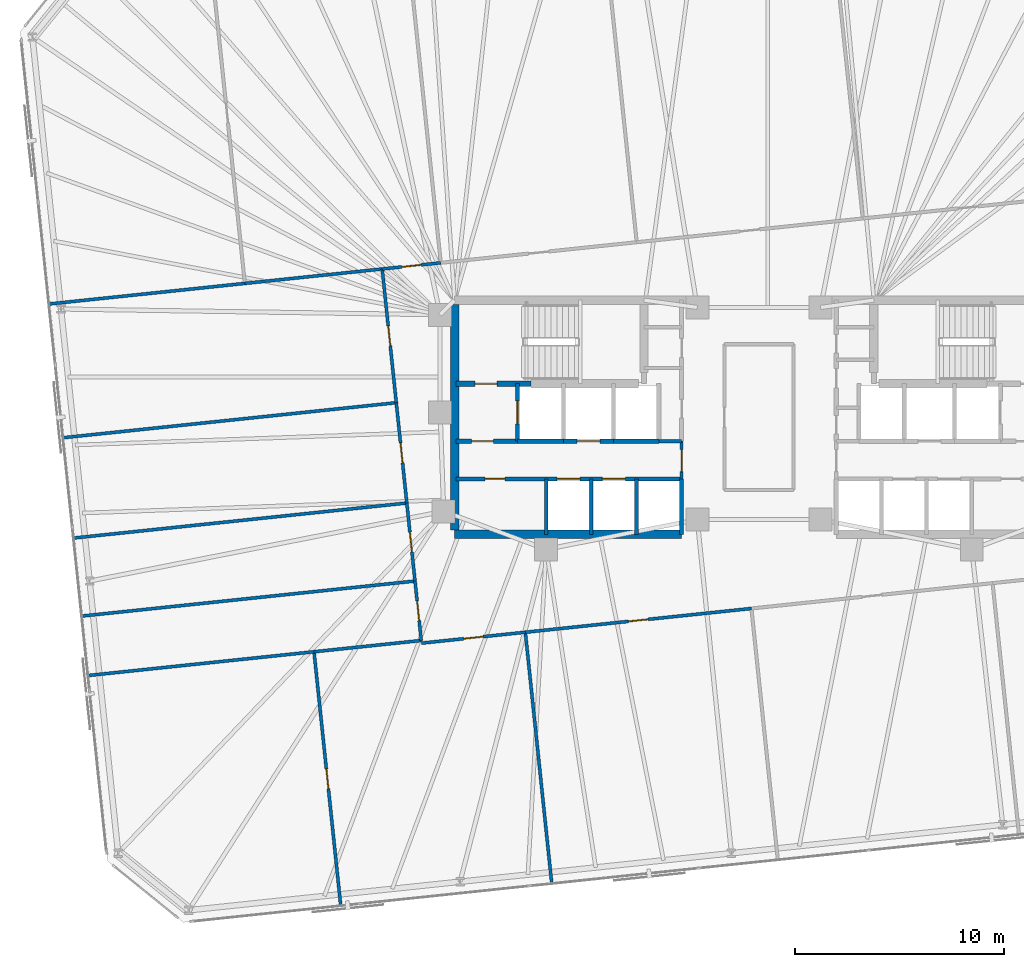
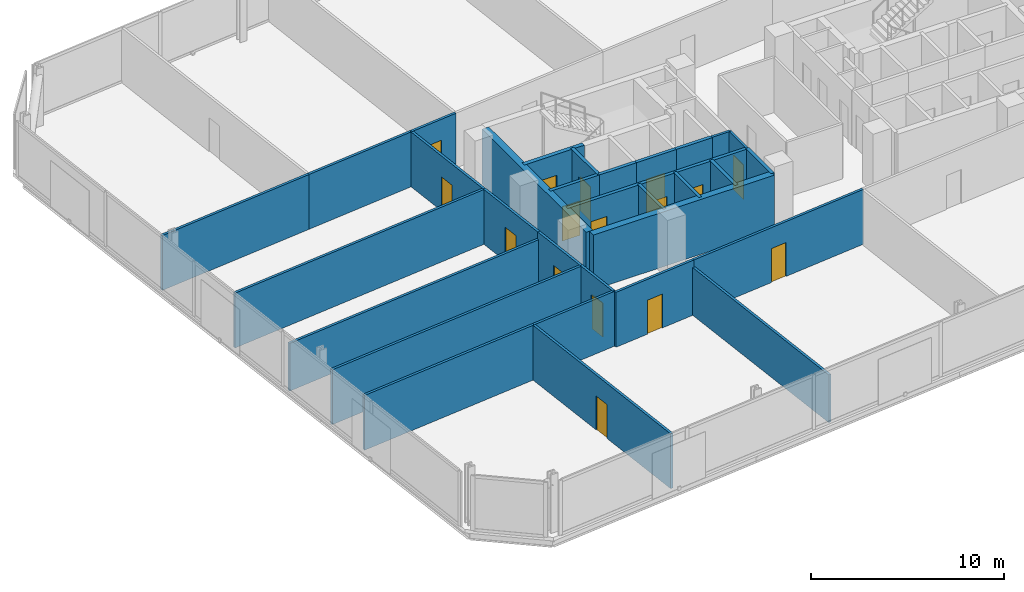
# One storey, part 14 of 18: 31 walls, 16 doors, 16 openings.
"""IFC4 building model written with IfcOpenShell, lengths in metres."""

from ifc_helpers import new_model, si_unit, direction, frame, frame_2d, origin, place, context, subcontext, project, spatial, rectangle, extrude, material, layer, layer_set, type_object, element, fill, save


model = new_model("IFC4")

# Units and contexts
model_context = context("Model", 3, precision=1e-05, world=origin(), true_north=direction((0.0, 1.0)))
body_context = subcontext(model_context, "Body", "Model", "MODEL_VIEW")
ifc_project = project(units=[si_unit("LENGTHUNIT", "METRE"), si_unit("AREAUNIT", "SQUARE_METRE"), si_unit("VOLUMEUNIT", "CUBIC_METRE"), si_unit("PLANEANGLEUNIT", "RADIAN"), si_unit("MASSUNIT", "GRAM", prefix="KILO")], contexts=[model_context])

# Site, building, storey
site_placement = place(None, origin())
site = spatial("IfcSite", under=ifc_project, at=site_placement, CompositionType="ELEMENT")
building_placement = place(site_placement, origin())
building = spatial("IfcBuilding", under=site, at=building_placement, Name="Menara Jurai Vektor", CompositionType="ELEMENT")
storey_placement = place(building_placement, frame((0.0, 0.0, 98.5)))
storey = spatial("IfcBuildingStorey", under=building, at=storey_placement, Name="L24", CompositionType="ELEMENT", Elevation=98.5)

# Wall, opening, door
ifc_material_1 = material(Name="Concrete C40/50", Category="concrete")
ifc_layer_1 = layer(ifc_material_1, 0.25)
ifc_layer_set_1 = layer_set([ifc_layer_1], Name="Concrete C40/50")
wall_type_1 = type_object("IfcWallType", Name="INT-WALL-CORE-250", PredefinedType="STANDARD", material=ifc_layer_set_1)
wall_1_placement = place(storey_placement, frame((-14.5, 1.60009765625, 0.0), z_axis=(0.0, 0.0, 1.0), x_axis=(1.0, 0.0, 0.0)))
wall_1 = element("IfcWall", 1, at=wall_1_placement, inside=storey, type_object=wall_type_1, Name="Interior Wall IW-250 L24", PredefinedType="STANDARD", context=body_context, shape_type="SweptSolid", body=[
    extrude(rectangle(XDim=3.60009765625, YDim=0.25, at=frame_2d((1.800048828125, 0.0))), origin(), (0.0, 0.0, 1.0), 3.47509765625),
])
opening_1_placement = place(wall_1_placement, frame((0.919921875, 0.0, 0.0)))
opening_1 = element("IfcOpeningElement", 2, at=opening_1_placement, cuts=wall_1, Name="Opening D-L24-ST1", PredefinedType="OPENING", context=body_context, shape_type="SweptSolid", body=[
    extrude(rectangle(XDim=1.050048828125, YDim=2.14990234375, at=frame_2d((0.52490234375, 1.074951171875))), frame((0.0, 0.135009765625, 0.0), z_axis=(0.0, -1.0, 0.0), x_axis=(1.0, 0.0, 0.0)), (0.0, 0.0, 1.0), 0.27001953125),
])
ifc_material_2 = material(Name="Fire-Rated Steel Door", Category="steel")
door_type_1 = type_object("IfcDoorType", Name="DR-STAIR-1050", OperationType="NOTDEFINED", PredefinedType="DOOR", material=ifc_material_2)
door_1_placement = place(opening_1_placement, origin())
door_1 = element("IfcDoor", 3, at=door_1_placement, inside=storey, type_object=door_type_1, Name="Exit Stair ST1 Door L24", OperationType="SINGLE_SWING_RIGHT", OverallHeight=2.14990234375, OverallWidth=1.050048828125, PredefinedType="DOOR", context=body_context, shape_type="SweptSolid", body=[
    extrude(rectangle(XDim=1.050048828125, YDim=2.14990234375, at=frame_2d((0.52490234375, 1.074951171875))), frame((0.0, 0.02490234375, 0.0), z_axis=(0.0, -1.0, 0.0), x_axis=(1.0, 0.0, 0.0)), (0.0, 0.0, 1.0), 0.050048828125),
])
fill(opening_1, door_1)

wall_2_placement = place(storey_placement, frame((-11.550048828125, -1.14990234375, 0.0), z_axis=(0.0, 0.0, 1.0), x_axis=(0.0, 1.0, 0.0)))
wall_2 = element("IfcWall", 4, at=wall_2_placement, inside=storey, type_object=wall_type_1, Name="Interior Wall IW-250 L24", PredefinedType="STANDARD", context=body_context, shape_type="SweptSolid", body=[
    extrude(rectangle(XDim=2.75, YDim=0.199951171875, at=frame_2d((1.375, 0.0))), origin(), (0.0, 0.0, 1.0), 3.47509765625),
])
opening_2_placement = place(wall_2_placement, frame((0.824951171875, 0.0, 0.0)))
opening_2 = element("IfcOpeningElement", 5, at=opening_2_placement, cuts=wall_2, Name="Opening LD-L24-FL1", PredefinedType="OPENING", context=body_context, shape_type="SweptSolid", body=[
    extrude(rectangle(XDim=1.10009765625, YDim=2.14990234375, at=frame_2d((0.550048828125, 1.074951171875))), frame((0.0, 0.10986328125, 0.0), z_axis=(0.0, -1.0, 0.0), x_axis=(1.0, 0.0, 0.0)), (0.0, 0.0, 1.0), 0.219970703125),
])
ifc_material_3 = material(Name="Stainless Steel Sliding Lift Landing Door", Category="steel")
door_type_2 = type_object("IfcDoorType", Name="DR-LIFT-FIRE-1100", OperationType="NOTDEFINED", PredefinedType="DOOR", material=ifc_material_3)
door_2_placement = place(opening_2_placement, origin())
door_2 = element("IfcDoor", 6, at=door_2_placement, inside=storey, type_object=door_type_2, Name="Lift Landing Door FL1 L24", OperationType="SLIDING_TO_RIGHT", OverallHeight=2.14990234375, OverallWidth=1.10009765625, PredefinedType="DOOR", context=body_context, shape_type="SweptSolid", body=[
    extrude(rectangle(XDim=1.10009765625, YDim=2.14990234375, at=frame_2d((0.550048828125, 1.074951171875))), frame((0.0, 0.02490234375, 0.0), z_axis=(0.0, -1.0, 0.0), x_axis=(1.0, 0.0, 0.0)), (0.0, 0.0, 1.0), 0.050048828125),
])
fill(opening_2, door_2)

wall_3_placement = place(storey_placement, frame((-14.5, -1.14990234375, 0.0), z_axis=(0.0, 0.0, 1.0), x_axis=(1.0, 0.0, 0.0)))
wall_3 = element("IfcWall", 7, at=wall_3_placement, inside=storey, type_object=wall_type_1, Name="Interior Wall IW-250 L24", PredefinedType="STANDARD", context=body_context, shape_type="SweptSolid", body=[
    extrude(rectangle(XDim=2.949951171875, YDim=0.199951171875, at=frame_2d((1.47509765625, 0.0))), origin(), (0.0, 0.0, 1.0), 3.47509765625),
])
opening_3_placement = place(wall_3_placement, frame((0.75, 0.0, 0.0)))
opening_3 = element("IfcOpeningElement", 8, at=opening_3_placement, cuts=wall_3, Name="Opening D-L24-FFW", PredefinedType="OPENING", context=body_context, shape_type="SweptSolid", body=[
    extrude(rectangle(XDim=1.050048828125, YDim=2.179931640625, at=frame_2d((0.52490234375, 1.08984375))), frame((0.0, 0.10986328125, 0.0), z_axis=(0.0, -1.0, 0.0), x_axis=(1.0, 0.0, 0.0)), (0.0, 0.0, 1.0), 0.219970703125),
])
ifc_material_4 = material(Name="Fire-Rated Timber Door", Category="wood")
door_type_3 = type_object("IfcDoorType", Name="DR-LOBBY-1050", OperationType="NOTDEFINED", PredefinedType="DOOR", material=ifc_material_4)
door_3_placement = place(opening_3_placement, origin())
door_3 = element("IfcDoor", 9, at=door_3_placement, inside=storey, type_object=door_type_3, Name="Fire Lift Lobby Door W L24", OperationType="SINGLE_SWING_RIGHT", OverallHeight=2.179931640625, OverallWidth=1.050048828125, PredefinedType="DOOR", context=body_context, shape_type="SweptSolid", body=[
    extrude(rectangle(XDim=1.050048828125, YDim=2.179931640625, at=frame_2d((0.52490234375, 1.08984375))), frame((0.0, 0.02490234375, 0.0), z_axis=(0.0, -1.0, 0.0), x_axis=(1.0, 0.0, 0.0)), (0.0, 0.0, 1.0), 0.050048828125),
])
fill(opening_3, door_3)

# Wall
wall_4_placement = place(storey_placement, frame((-11.550048828125, -1.14990234375, 0.0), z_axis=(0.0, 0.0, 1.0), x_axis=(1.0, 0.0, 0.0)))
element("IfcWall", 10, at=wall_4_placement, inside=storey, type_object=wall_type_1, Name="Interior Wall IW-250 L24", PredefinedType="STANDARD", context=body_context, shape_type="SweptSolid", body=[
    extrude(rectangle(XDim=2.199951171875, YDim=0.199951171875, at=frame_2d((1.10009765625, 0.0))), origin(), (0.0, 0.0, 1.0), 3.47509765625),
])

# Wall, opening, door
ifc_material_5 = material(Name="Gypsum Fireboard Partition", Category="gypsum")
ifc_layer_2 = layer(ifc_material_5, 0.14990234375)
ifc_layer_set_2 = layer_set([ifc_layer_2], Name="Gypsum Fireboard Partition")
wall_type_2 = type_object("IfcWallType", Name="INT-WALL-CORR-150", PredefinedType="PARTITIONING", material=ifc_layer_set_2)
wall_5_placement = place(storey_placement, frame((-3.699951171875, -2.949951171875, 0.0), z_axis=(0.0, 0.0, 1.0), x_axis=(0.0, 1.0, 0.0)))
wall_5 = element("IfcWall", 11, at=wall_5_placement, inside=storey, type_object=wall_type_2, Name="Interior Wall IW-150 L24", PredefinedType="PARTITIONING", context=body_context, shape_type="SweptSolid", body=[
    extrude(rectangle(XDim=1.800048828125, YDim=0.14990234375, at=frame_2d((0.89990234375, 0.0))), origin(), (0.0, 0.0, 1.0), 3.47509765625),
])
opening_4_placement = place(wall_5_placement, frame((0.35009765625, 0.0, 0.0)))
opening_4 = element("IfcOpeningElement", 12, at=opening_4_placement, cuts=wall_5, Name="Opening D-L24-LLW", PredefinedType="OPENING", context=body_context, shape_type="SweptSolid", body=[
    extrude(rectangle(XDim=1.050048828125, YDim=2.179931640625, at=frame_2d((0.52490234375, 1.08984375))), frame((0.0, 0.0849609375, 0.0), z_axis=(0.0, -1.0, 0.0), x_axis=(1.0, 0.0, 0.0)), (0.0, 0.0, 1.0), 0.169921875),
])
door_4_placement = place(opening_4_placement, origin())
door_4 = element("IfcDoor", 13, at=door_4_placement, inside=storey, type_object=door_type_3, Name="Lift Lobby Corridor Door W L24", OperationType="SINGLE_SWING_LEFT", OverallHeight=2.179931640625, OverallWidth=1.050048828125, PredefinedType="DOOR", context=body_context, shape_type="SweptSolid", body=[
    extrude(rectangle(XDim=1.050048828125, YDim=2.179931640625, at=frame_2d((0.52490234375, 1.08984375))), frame((0.0, 0.02490234375, 0.0), z_axis=(0.0, -1.0, 0.0), x_axis=(1.0, 0.0, 0.0)), (0.0, 0.0, 1.0), 0.050048828125),
])
fill(opening_4, door_4)

# Wall
wall_6_placement = place(storey_placement, frame((-4.7900390625, -1.14990234375, 0.0), z_axis=(0.0, 0.0, 1.0), x_axis=(1.0, 0.0, 0.0)))
element("IfcWall", 14, at=wall_6_placement, inside=storey, type_object=wall_type_2, Name="Interior Wall IW-150 L24", PredefinedType="PARTITIONING", context=body_context, shape_type="SweptSolid", body=[
    extrude(rectangle(XDim=1.090087890625, YDim=0.14990234375, at=frame_2d((0.544921875, 0.0))), origin(), (0.0, 0.0, 1.0), 3.47509765625),
])

# Wall, opening, door
wall_7_placement = place(storey_placement, frame((-18.021240234375, 7.09033203125, 0.0), z_axis=(0.0, 0.0, 1.0), x_axis=(0.994522535937, 0.104522368483, 0.0)))
wall_7 = element("IfcWall", 15, at=wall_7_placement, inside=storey, type_object=wall_type_2, Name="Interior Wall IW-150 L24", PredefinedType="PARTITIONING", context=body_context, shape_type="SweptSolid", body=[
    extrude(rectangle(XDim=2.81689453125, YDim=0.14990234375, at=frame_2d((1.408447265625, 0.0))), origin(), (0.0, 0.0, 1.0), 3.47509765625),
])
opening_5_placement = place(wall_7_placement, frame((0.93359375, 0.0, 0.0)))
opening_5 = element("IfcOpeningElement", 16, at=opening_5_placement, cuts=wall_7, Name="Opening D24-09", PredefinedType="OPENING", context=body_context, shape_type="SweptSolid", body=[
    extrude(rectangle(XDim=0.949951171875, YDim=2.14990234375, at=frame_2d((0.47509765625, 1.074951171875))), frame((0.0, 0.0849609375, 0.0), z_axis=(0.0, -1.0, 0.0), x_axis=(1.0, 0.0, 0.0)), (0.0, 0.0, 1.0), 0.169921875),
])
ifc_material_6 = material(Name="Solid Core Timber Fire Door", Category="wood")
door_type_4 = type_object("IfcDoorType", Name="DR-ENTRY-950", OperationType="NOTDEFINED", PredefinedType="DOOR", material=ifc_material_6)
door_5_placement = place(opening_5_placement, origin())
door_5 = element("IfcDoor", 17, at=door_5_placement, inside=storey, type_object=door_type_4, Name="Interior Door D24-09", OperationType="SINGLE_SWING_RIGHT", OverallHeight=2.14990234375, OverallWidth=0.949951171875, PredefinedType="DOOR", context=body_context, shape_type="SweptSolid", body=[
    extrude(rectangle(XDim=0.949951171875, YDim=2.14990234375, at=frame_2d((0.47509765625, 1.074951171875))), frame((0.0, 0.02490234375, 0.0), z_axis=(0.0, -1.0, 0.0), x_axis=(1.0, 0.0, 0.0)), (0.0, 0.0, 1.0), 0.050048828125),
])
fill(opening_5, door_5)

wall_8_placement = place(storey_placement, frame((-16.139892578125, -10.80908203125, 0.0), z_axis=(0.0, 0.0, 1.0), x_axis=(0.994523393184, 0.104514211519, 0.0)))
wall_8 = element("IfcWall", 18, at=wall_8_placement, inside=storey, type_object=wall_type_2, Name="Interior Wall IW-150 L24", PredefinedType="PARTITIONING", context=body_context, shape_type="SweptSolid", body=[
    extrude(rectangle(XDim=4.991943359375, YDim=0.14990234375, at=frame_2d((2.49609375, 0.0))), origin(), (0.0, 0.0, 1.0), 3.47509765625),
])
opening_6_placement = place(wall_8_placement, frame((2.02099609375, 0.0, 0.0)))
opening_6 = element("IfcOpeningElement", 19, at=opening_6_placement, cuts=wall_8, Name="Opening D24-14", PredefinedType="OPENING", context=body_context, shape_type="SweptSolid", body=[
    extrude(rectangle(XDim=0.949951171875, YDim=2.14990234375, at=frame_2d((0.47509765625, 1.074951171875))), frame((0.0, 0.0849609375, 0.0), z_axis=(0.0, -1.0, 0.0), x_axis=(1.0, 0.0, 0.0)), (0.0, 0.0, 1.0), 0.169921875),
])
door_6_placement = place(opening_6_placement, origin())
door_6 = element("IfcDoor", 20, at=door_6_placement, inside=storey, type_object=door_type_4, Name="Interior Door D24-14", OperationType="SINGLE_SWING_LEFT", OverallHeight=2.14990234375, OverallWidth=0.949951171875, PredefinedType="DOOR", context=body_context, shape_type="SweptSolid", body=[
    extrude(rectangle(XDim=0.949951171875, YDim=2.14990234375, at=frame_2d((0.47509765625, 1.074951171875))), frame((0.0, 0.02490234375, 0.0), z_axis=(0.0, -1.0, 0.0), x_axis=(1.0, 0.0, 0.0)), (0.0, 0.0, 1.0), 0.050048828125),
])
fill(opening_6, door_6)

wall_9_placement = place(storey_placement, frame((-11.17529296875, -10.287353515625, 0.0), z_axis=(0.0, 0.0, 1.0), x_axis=(0.994522169869, 0.104525851533, 0.0)))
wall_9 = element("IfcWall", 21, at=wall_9_placement, inside=storey, type_object=wall_type_2, Name="Interior Wall IW-150 L24", PredefinedType="PARTITIONING", context=body_context, shape_type="SweptSolid", body=[
    extrude(rectangle(XDim=10.875, YDim=0.14990234375, at=frame_2d((5.4375, 0.0))), origin(), (0.0, 0.0, 1.0), 3.47509765625),
])
opening_7_placement = place(wall_9_placement, frame((4.96240234375, 0.0, 0.0)))
opening_7 = element("IfcOpeningElement", 22, at=opening_7_placement, cuts=wall_9, Name="Opening D24-15", PredefinedType="OPENING", context=body_context, shape_type="SweptSolid", body=[
    extrude(rectangle(XDim=0.949951171875, YDim=2.14990234375, at=frame_2d((0.47509765625, 1.074951171875))), frame((0.0, 0.0849609375, 0.0), z_axis=(0.0, -1.0, 0.0), x_axis=(1.0, 0.0, 0.0)), (0.0, 0.0, 1.0), 0.169921875),
])
door_7_placement = place(opening_7_placement, origin())
door_7 = element("IfcDoor", 23, at=door_7_placement, inside=storey, type_object=door_type_4, Name="Interior Door D24-15", OperationType="SINGLE_SWING_RIGHT", OverallHeight=2.14990234375, OverallWidth=0.949951171875, PredefinedType="DOOR", context=body_context, shape_type="SweptSolid", body=[
    extrude(rectangle(XDim=0.949951171875, YDim=2.14990234375, at=frame_2d((0.47509765625, 1.074951171875))), frame((0.0, 0.02490234375, 0.0), z_axis=(0.0, -1.0, 0.0), x_axis=(1.0, 0.0, 0.0)), (0.0, 0.0, 1.0), 0.050048828125),
])
fill(opening_7, door_7)

wall_10_placement = place(storey_placement, frame((-16.1533203125, -10.681884765625, 0.0), z_axis=(0.0, 0.0, 1.0), x_axis=(-0.104600331874, 0.994514339048, 0.0)))
wall_10 = element("IfcWall", 24, at=wall_10_placement, inside=storey, type_object=wall_type_2, Name="Interior Wall IW-150 L24", PredefinedType="PARTITIONING", context=body_context, shape_type="SweptSolid", body=[
    extrude(rectangle(XDim=2.859130859375, YDim=0.14990234375, at=frame_2d((1.4296875, 0.0))), origin(), (0.0, 0.0, 1.0), 3.47509765625),
])
opening_8_placement = place(wall_10_placement, frame((0.95458984375, 0.0, 0.0)))
opening_8 = element("IfcOpeningElement", 25, at=opening_8_placement, cuts=wall_10, Name="Opening D24-18", PredefinedType="OPENING", context=body_context, shape_type="SweptSolid", body=[
    extrude(rectangle(XDim=0.949951171875, YDim=2.14990234375, at=frame_2d((0.47509765625, 1.074951171875))), frame((0.0, 0.0849609375, 0.0), z_axis=(0.0, -1.0, 0.0), x_axis=(1.0, 0.0, 0.0)), (0.0, 0.0, 1.0), 0.169921875),
])
door_8_placement = place(opening_8_placement, origin())
door_8 = element("IfcDoor", 26, at=door_8_placement, inside=storey, type_object=door_type_4, Name="Interior Door D24-18", OperationType="SINGLE_SWING_LEFT", OverallHeight=2.14990234375, OverallWidth=0.949951171875, PredefinedType="DOOR", context=body_context, shape_type="SweptSolid", body=[
    extrude(rectangle(XDim=0.949951171875, YDim=2.14990234375, at=frame_2d((0.47509765625, 1.074951171875))), frame((0.0, 0.02490234375, 0.0), z_axis=(0.0, -1.0, 0.0), x_axis=(1.0, 0.0, 0.0)), (0.0, 0.0, 1.0), 0.050048828125),
])
fill(opening_8, door_8)

wall_11_placement = place(storey_placement, frame((-16.452392578125, -7.83837890625, 0.0), z_axis=(0.0, 0.0, 1.0), x_axis=(-0.104481590513, 0.994526820777, 0.0)))
wall_11 = element("IfcWall", 27, at=wall_11_placement, inside=storey, type_object=wall_type_2, Name="Interior Wall IW-150 L24", PredefinedType="PARTITIONING", context=body_context, shape_type="SweptSolid", body=[
    extrude(rectangle(XDim=3.752685546875, YDim=0.14990234375, at=frame_2d((1.87646484375, 0.0))), origin(), (0.0, 0.0, 1.0), 3.47509765625),
])
opening_9_placement = place(wall_11_placement, frame((1.401611328125, 0.0, 0.0)))
opening_9 = element("IfcOpeningElement", 28, at=opening_9_placement, cuts=wall_11, Name="Opening D24-19", PredefinedType="OPENING", context=body_context, shape_type="SweptSolid", body=[
    extrude(rectangle(XDim=0.949951171875, YDim=2.14990234375, at=frame_2d((0.47509765625, 1.074951171875))), frame((0.0, 0.0849609375, 0.0), z_axis=(0.0, -1.0, 0.0), x_axis=(1.0, 0.0, 0.0)), (0.0, 0.0, 1.0), 0.169921875),
])
door_9_placement = place(opening_9_placement, origin())
door_9 = element("IfcDoor", 29, at=door_9_placement, inside=storey, type_object=door_type_4, Name="Interior Door D24-19", OperationType="SINGLE_SWING_RIGHT", OverallHeight=2.14990234375, OverallWidth=0.949951171875, PredefinedType="DOOR", context=body_context, shape_type="SweptSolid", body=[
    extrude(rectangle(XDim=0.949951171875, YDim=2.14990234375, at=frame_2d((0.47509765625, 1.074951171875))), frame((0.0, 0.02490234375, 0.0), z_axis=(0.0, -1.0, 0.0), x_axis=(1.0, 0.0, 0.0)), (0.0, 0.0, 1.0), 0.050048828125),
])
fill(opening_9, door_9)

wall_12_placement = place(storey_placement, frame((-16.844482421875, -4.106201171875, 0.0), z_axis=(0.0, 0.0, 1.0), x_axis=(-0.104537284168, 0.994520968215, 0.0)))
wall_12 = element("IfcWall", 30, at=wall_12_placement, inside=storey, type_object=wall_type_2, Name="Interior Wall IW-150 L24", PredefinedType="PARTITIONING", context=body_context, shape_type="SweptSolid", body=[
    extrude(rectangle(XDim=4.824951171875, YDim=0.14990234375, at=frame_2d((2.41259765625, 0.0))), origin(), (0.0, 0.0, 1.0), 3.47509765625),
])
opening_10_placement = place(wall_12_placement, frame((1.9375, 0.0, 0.0)))
opening_10 = element("IfcOpeningElement", 31, at=opening_10_placement, cuts=wall_12, Name="Opening D24-20", PredefinedType="OPENING", context=body_context, shape_type="SweptSolid", body=[
    extrude(rectangle(XDim=0.949951171875, YDim=2.14990234375, at=frame_2d((0.47509765625, 1.074951171875))), frame((0.0, 0.0849609375, 0.0), z_axis=(0.0, -1.0, 0.0), x_axis=(1.0, 0.0, 0.0)), (0.0, 0.0, 1.0), 0.169921875),
])
door_10_placement = place(opening_10_placement, origin())
door_10 = element("IfcDoor", 32, at=door_10_placement, inside=storey, type_object=door_type_4, Name="Interior Door D24-20", OperationType="SINGLE_SWING_LEFT", OverallHeight=2.14990234375, OverallWidth=0.949951171875, PredefinedType="DOOR", context=body_context, shape_type="SweptSolid", body=[
    extrude(rectangle(XDim=0.949951171875, YDim=2.14990234375, at=frame_2d((0.47509765625, 1.074951171875))), frame((0.0, 0.02490234375, 0.0), z_axis=(0.0, -1.0, 0.0), x_axis=(1.0, 0.0, 0.0)), (0.0, 0.0, 1.0), 0.050048828125),
])
fill(opening_10, door_10)

wall_13_placement = place(storey_placement, frame((-17.348876953125, 0.6923828125, 0.0), z_axis=(0.0, 0.0, 1.0), x_axis=(-0.104514890797, 0.994523321799, 0.0)))
wall_13 = element("IfcWall", 33, at=wall_13_placement, inside=storey, type_object=wall_type_2, Name="Interior Wall IW-150 L24", PredefinedType="PARTITIONING", context=body_context, shape_type="SweptSolid", body=[
    extrude(rectangle(XDim=6.43310546875, YDim=0.14990234375, at=frame_2d((3.216552734375, 0.0))), origin(), (0.0, 0.0, 1.0), 3.47509765625),
])
opening_11_placement = place(wall_13_placement, frame((2.741455078125, 0.0, 0.0)))
opening_11 = element("IfcOpeningElement", 34, at=opening_11_placement, cuts=wall_13, Name="Opening D24-21", PredefinedType="OPENING", context=body_context, shape_type="SweptSolid", body=[
    extrude(rectangle(XDim=0.949951171875, YDim=2.14990234375, at=frame_2d((0.47509765625, 1.074951171875))), frame((0.0, 0.0849609375, 0.0), z_axis=(0.0, -1.0, 0.0), x_axis=(1.0, 0.0, 0.0)), (0.0, 0.0, 1.0), 0.169921875),
])
door_11_placement = place(opening_11_placement, origin())
door_11 = element("IfcDoor", 35, at=door_11_placement, inside=storey, type_object=door_type_4, Name="Interior Door D24-21", OperationType="SINGLE_SWING_RIGHT", OverallHeight=2.14990234375, OverallWidth=0.949951171875, PredefinedType="DOOR", context=body_context, shape_type="SweptSolid", body=[
    extrude(rectangle(XDim=0.949951171875, YDim=2.14990234375, at=frame_2d((0.47509765625, 1.074951171875))), frame((0.0, 0.02490234375, 0.0), z_axis=(0.0, -1.0, 0.0), x_axis=(1.0, 0.0, 0.0)), (0.0, 0.0, 1.0), 0.050048828125),
])
fill(opening_11, door_11)

# Walls
wall_14_placement = place(storey_placement, frame((-33.966552734375, 5.414306640625, 0.0), z_axis=(0.0, 0.0, 1.0), x_axis=(0.994522897059, 0.104518932376, 0.0)))
element("IfcWall", 36, at=wall_14_placement, inside=storey, type_object=wall_type_2, Name="Interior Wall IW-150 L24", PredefinedType="PARTITIONING", context=body_context, shape_type="SweptSolid", body=[
    extrude(rectangle(XDim=9.425048828125, YDim=0.14990234375, at=frame_2d((4.71240234375, 0.0))), origin(), (0.0, 0.0, 1.0), 3.47509765625),
])
wall_15_placement = place(storey_placement, frame((-24.593017578125, 6.3994140625, 0.0), z_axis=(0.0, 0.0, 1.0), x_axis=(0.9945188062, 0.104557850566, 0.0)))
element("IfcWall", 37, at=wall_15_placement, inside=storey, type_object=wall_type_2, Name="Interior Wall IW-150 L24", PredefinedType="PARTITIONING", context=body_context, shape_type="SweptSolid", body=[
    extrude(rectangle(XDim=6.60791015625, YDim=0.14990234375, at=frame_2d((3.303955078125, 0.0))), origin(), (0.0, 0.0, 1.0), 3.47509765625),
])

# Wall, opening, door
wall_16_placement = place(storey_placement, frame((-20.005615234375, -23.375, 0.0), z_axis=(0.0, 0.0, 1.0), x_axis=(-0.104540236679, 0.994520657862, 0.0)))
wall_16 = element("IfcWall", 38, at=wall_16_placement, inside=storey, type_object=wall_type_2, Name="Interior Wall IW-150 L24", PredefinedType="PARTITIONING", context=body_context, shape_type="SweptSolid", body=[
    extrude(rectangle(XDim=12.220947265625, YDim=0.14990234375, at=frame_2d((6.1103515625, 0.0))), origin(), (0.0, 0.0, 1.0), 3.47509765625),
])
opening_12_placement = place(wall_16_placement, frame((5.635498046875, 0.0, 0.0)))
opening_12 = element("IfcOpeningElement", 39, at=opening_12_placement, cuts=wall_16, Name="Opening D24-27", PredefinedType="OPENING", context=body_context, shape_type="SweptSolid", body=[
    extrude(rectangle(XDim=0.949951171875, YDim=2.14990234375, at=frame_2d((0.47509765625, 1.074951171875))), frame((0.0, 0.0849609375, 0.0), z_axis=(0.0, -1.0, 0.0), x_axis=(1.0, 0.0, 0.0)), (0.0, 0.0, 1.0), 0.169921875),
])
door_12_placement = place(opening_12_placement, origin())
door_12 = element("IfcDoor", 40, at=door_12_placement, inside=storey, type_object=door_type_4, Name="Interior Door D24-27", OperationType="SINGLE_SWING_RIGHT", OverallHeight=2.14990234375, OverallWidth=0.949951171875, PredefinedType="DOOR", context=body_context, shape_type="SweptSolid", body=[
    extrude(rectangle(XDim=0.949951171875, YDim=2.14990234375, at=frame_2d((0.47509765625, 1.074951171875))), frame((0.0, 0.02490234375, 0.0), z_axis=(0.0, -1.0, 0.0), x_axis=(1.0, 0.0, 0.0)), (0.0, 0.0, 1.0), 0.050048828125),
])
fill(opening_12, door_12)

# Walls
wall_17_placement = place(storey_placement, frame((-32.0986328125, -12.357666015625, 0.0), z_axis=(0.0, 0.0, 1.0), x_axis=(0.994522169869, 0.104525851533, 0.0)))
element("IfcWall", 41, at=wall_17_placement, inside=storey, type_object=wall_type_2, Name="Interior Wall IW-150 L24", PredefinedType="PARTITIONING", context=body_context, shape_type="SweptSolid", body=[
    extrude(rectangle(XDim=10.875, YDim=0.14990234375, at=frame_2d((5.4375, 0.0))), origin(), (0.0, 0.0, 1.0), 3.47509765625),
])
wall_18_placement = place(storey_placement, frame((-21.283203125, -11.220947265625, 0.0), z_axis=(0.0, 0.0, 1.0), x_axis=(0.994524110249, 0.104507387942, 0.0)))
element("IfcWall", 42, at=wall_18_placement, inside=storey, type_object=wall_type_2, Name="Interior Wall IW-150 L24", PredefinedType="PARTITIONING", context=body_context, shape_type="SweptSolid", body=[
    extrude(rectangle(XDim=5.158203125, YDim=0.14990234375, at=frame_2d((2.5791015625, 0.0))), origin(), (0.0, 0.0, 1.0), 3.47509765625),
])
wall_19_placement = place(storey_placement, frame((-32.3974609375, -9.514404296875, 0.0), z_axis=(0.0, 0.0, 1.0), x_axis=(0.994521044813, 0.104536555445, 0.0)))
element("IfcWall", 43, at=wall_19_placement, inside=storey, type_object=wall_type_2, Name="Interior Wall IW-150 L24", PredefinedType="PARTITIONING", context=body_context, shape_type="SweptSolid", body=[
    extrude(rectangle(XDim=16.032958984375, YDim=0.14990234375, at=frame_2d((8.0166015625, 0.0))), origin(), (0.0, 0.0, 1.0), 3.47509765625),
])
wall_20_placement = place(storey_placement, frame((-33.294189453125, -0.9833984375, 0.0), z_axis=(0.0, 0.0, 1.0), x_axis=(0.994522794159, 0.104519911488, 0.0)))
element("IfcWall", 44, at=wall_20_placement, inside=storey, type_object=wall_type_2, Name="Interior Wall IW-150 L24", PredefinedType="PARTITIONING", context=body_context, shape_type="SweptSolid", body=[
    extrude(rectangle(XDim=16.033203125, YDim=0.14990234375, at=frame_2d((8.0166015625, 0.0))), origin(), (0.0, 0.0, 1.0), 3.47509765625),
])
ifc_layer_3 = layer(ifc_material_5, 0.14990234375)
ifc_layer_set_3 = layer_set([ifc_layer_3], Name="Gypsum Fireboard Partition")
wall_type_3 = type_object("IfcWallType", Name="INT-WALL-CORR-150-H1", PredefinedType="PARTITIONING", material=ifc_layer_set_3)
wall_21_placement = place(storey_placement, frame((-9.911376953125, -22.314208984375, 0.0), z_axis=(0.0, 0.0, 1.0), x_axis=(-0.104515587229, 0.99452324861, 0.0)))
element("IfcWall", 45, at=wall_21_placement, inside=storey, type_object=wall_type_3, Name="Interior Wall IW-150 L24", PredefinedType="PARTITIONING", context=body_context, shape_type="SweptSolid", body=[
    extrude(rectangle(XDim=12.093017578125, YDim=0.14990234375, at=frame_2d((6.04638671875, 0.0))), origin(), (0.0, 0.0, 1.0), 3.02490234375),
])
wall_22_placement = place(storey_placement, frame((-32.789794921875, -5.781982421875, 0.0), z_axis=(0.0, 0.0, 1.0), x_axis=(0.994522794159, 0.104519911488, 0.0)))
element("IfcWall", 46, at=wall_22_placement, inside=storey, type_object=wall_type_3, Name="Interior Wall IW-150 L24", PredefinedType="PARTITIONING", context=body_context, shape_type="SweptSolid", body=[
    extrude(rectangle(XDim=16.033203125, YDim=0.14990234375, at=frame_2d((8.0166015625, 0.0))), origin(), (0.0, 0.0, 1.0), 3.02490234375),
])
ifc_layer_4 = layer(ifc_material_1, 0.199951171875)
ifc_layer_set_4 = layer_set([ifc_layer_4], Name="Concrete C40/50")
wall_type_4 = type_object("IfcWallType", Name="INT-WALL-SHAFT-200", PredefinedType="STANDARD", material=ifc_layer_set_4)
wall_23_placement = place(storey_placement, frame((-3.699951171875, -5.60009765625, 0.0), z_axis=(0.0, 0.0, 1.0), x_axis=(0.0, 1.0, 0.0)))
element("IfcWall", 47, at=wall_23_placement, inside=storey, type_object=wall_type_4, Name="Interior Wall IW-200 L24", PredefinedType="STANDARD", context=body_context, shape_type="SweptSolid", body=[
    extrude(rectangle(XDim=2.650146484375, YDim=0.199951171875, at=frame_2d((1.3251953125, 0.0))), origin(), (0.0, 0.0, 1.0), 3.47509765625),
])

# Wall, opening, door
wall_24_placement = place(storey_placement, frame((-9.35009765625, -1.14990234375, 0.0), z_axis=(0.0, 0.0, 1.0), x_axis=(1.0, 0.0, 0.0)))
wall_24 = element("IfcWall", 48, at=wall_24_placement, inside=storey, type_object=wall_type_4, Name="Interior Wall IW-200 L24", PredefinedType="STANDARD", context=body_context, shape_type="SweptSolid", body=[
    extrude(rectangle(XDim=2.400146484375, YDim=0.199951171875, at=frame_2d((1.2001953125, 0.0))), origin(), (0.0, 0.0, 1.0), 3.47509765625),
])
opening_13_placement = place(wall_24_placement, frame((0.64990234375, 0.0, 0.0)))
opening_13 = element("IfcOpeningElement", 49, at=opening_13_placement, cuts=wall_24, Name="Opening LD-L24-SVL1", PredefinedType="OPENING", context=body_context, shape_type="SweptSolid", body=[
    extrude(rectangle(XDim=1.10009765625, YDim=2.14990234375, at=frame_2d((0.550048828125, 1.074951171875))), frame((0.0, 0.10986328125, 0.0), z_axis=(0.0, -1.0, 0.0), x_axis=(1.0, 0.0, 0.0)), (0.0, 0.0, 1.0), 0.219970703125),
])
ifc_material_7 = material(Name="Anodised Stainless Sliding Lift Landing Door", Category="steel")
door_type_5 = type_object("IfcDoorType", Name="DR-LIFT-PASS-1100", OperationType="NOTDEFINED", PredefinedType="DOOR", material=ifc_material_7)
door_13_placement = place(opening_13_placement, origin())
door_13 = element("IfcDoor", 50, at=door_13_placement, inside=storey, type_object=door_type_5, Name="Lift Landing Door SVL1 L24", OperationType="SLIDING_TO_RIGHT", OverallHeight=2.14990234375, OverallWidth=1.10009765625, PredefinedType="DOOR", context=body_context, shape_type="SweptSolid", body=[
    extrude(rectangle(XDim=1.10009765625, YDim=2.14990234375, at=frame_2d((0.550048828125, 1.074951171875))), frame((0.0, 0.02490234375, 0.0), z_axis=(0.0, -1.0, 0.0), x_axis=(1.0, 0.0, 0.0)), (0.0, 0.0, 1.0), 0.050048828125),
])
fill(opening_13, door_13)

# Wall
wall_25_placement = place(storey_placement, frame((-6.949951171875, -1.14990234375, 0.0), z_axis=(0.0, 0.0, 1.0), x_axis=(1.0, 0.0, 0.0)))
element("IfcWall", 51, at=wall_25_placement, inside=storey, type_object=wall_type_4, Name="Interior Wall IW-200 L24", PredefinedType="STANDARD", context=body_context, shape_type="SweptSolid", body=[
    extrude(rectangle(XDim=2.159912109375, YDim=0.199951171875, at=frame_2d((1.080078125, 0.0))), origin(), (0.0, 0.0, 1.0), 3.47509765625),
])

# Wall, openings, doors
wall_26_placement = place(storey_placement, frame((-14.5, -2.949951171875, 0.0), z_axis=(0.0, 0.0, 1.0), x_axis=(1.0, 0.0, 0.0)))
wall_26 = element("IfcWall", 52, at=wall_26_placement, inside=storey, type_object=wall_type_4, Name="Interior Wall IW-200 L24", PredefinedType="STANDARD", context=body_context, shape_type="SweptSolid", body=[
    extrude(rectangle(XDim=10.800048828125, YDim=0.199951171875, at=frame_2d((5.39990234375, 0.0))), origin(), (0.0, 0.0, 1.0), 3.47509765625),
])
opening_14_placement = place(wall_26_placement, frame((4.85009765625, 0.0, 0.0)))
opening_14 = element("IfcOpeningElement", 53, at=opening_14_placement, cuts=wall_26, Name="Opening LD-L24-PM1", PredefinedType="OPENING", context=body_context, shape_type="SweptSolid", body=[
    extrude(rectangle(XDim=1.10009765625, YDim=2.14990234375, at=frame_2d((0.550048828125, 1.074951171875))), frame((0.0, 0.10986328125, 0.0), z_axis=(0.0, -1.0, 0.0), x_axis=(1.0, 0.0, 0.0)), (0.0, 0.0, 1.0), 0.219970703125),
])
opening_15_placement = place(wall_26_placement, frame((7.010009765625, 0.0, 0.0)))
opening_15 = element("IfcOpeningElement", 54, at=opening_15_placement, cuts=wall_26, Name="Opening LD-L24-PM2", PredefinedType="OPENING", context=body_context, shape_type="SweptSolid", body=[
    extrude(rectangle(XDim=1.10009765625, YDim=2.14990234375, at=frame_2d((0.550048828125, 1.074951171875))), frame((0.0, 0.10986328125, 0.0), z_axis=(0.0, -1.0, 0.0), x_axis=(1.0, 0.0, 0.0)), (0.0, 0.0, 1.0), 0.219970703125),
])
opening_16_placement = place(wall_26_placement, frame((1.39990234375, 0.0, 0.0)))
opening_16 = element("IfcOpeningElement", 55, at=opening_16_placement, cuts=wall_26, Name="Opening D24-01", PredefinedType="OPENING", context=body_context, shape_type="SweptSolid", body=[
    extrude(rectangle(XDim=0.949951171875, YDim=2.14990234375, at=frame_2d((0.47509765625, 1.074951171875))), frame((0.0, 0.10986328125, 0.0), z_axis=(0.0, -1.0, 0.0), x_axis=(1.0, 0.0, 0.0)), (0.0, 0.0, 1.0), 0.219970703125),
])
door_14_placement = place(opening_16_placement, origin())
door_14 = element("IfcDoor", 56, at=door_14_placement, inside=storey, type_object=door_type_4, Name="Interior Door D24-01", OperationType="SINGLE_SWING_LEFT", OverallHeight=2.14990234375, OverallWidth=0.949951171875, PredefinedType="DOOR", context=body_context, shape_type="SweptSolid", body=[
    extrude(rectangle(XDim=0.949951171875, YDim=2.14990234375, at=frame_2d((0.47509765625, 1.074951171875))), frame((0.0, 0.02490234375, 0.0), z_axis=(0.0, -1.0, 0.0), x_axis=(1.0, 0.0, 0.0)), (0.0, 0.0, 1.0), 0.050048828125),
])
fill(opening_16, door_14)
door_15_placement = place(opening_14_placement, origin())
door_15 = element("IfcDoor", 57, at=door_15_placement, inside=storey, type_object=door_type_5, Name="Lift Landing Door PM1 L24", OperationType="SLIDING_TO_LEFT", OverallHeight=2.14990234375, OverallWidth=1.10009765625, PredefinedType="DOOR", context=body_context, shape_type="SweptSolid", body=[
    extrude(rectangle(XDim=1.10009765625, YDim=2.14990234375, at=frame_2d((0.550048828125, 1.074951171875))), frame((0.0, 0.02490234375, 0.0), z_axis=(0.0, -1.0, 0.0), x_axis=(1.0, 0.0, 0.0)), (0.0, 0.0, 1.0), 0.050048828125),
])
fill(opening_14, door_15)
door_16_placement = place(opening_15_placement, origin())
door_16 = element("IfcDoor", 58, at=door_16_placement, inside=storey, type_object=door_type_5, Name="Lift Landing Door PM2 L24", OperationType="SLIDING_TO_LEFT", OverallHeight=2.14990234375, OverallWidth=1.10009765625, PredefinedType="DOOR", context=body_context, shape_type="SweptSolid", body=[
    extrude(rectangle(XDim=1.10009765625, YDim=2.14990234375, at=frame_2d((0.550048828125, 1.074951171875))), frame((0.0, 0.02490234375, 0.0), z_axis=(0.0, -1.0, 0.0), x_axis=(1.0, 0.0, 0.0)), (0.0, 0.0, 1.0), 0.050048828125),
])
fill(opening_15, door_16)

# Walls
wall_27_placement = place(storey_placement, frame((-5.860107421875, -5.60009765625, 0.0), z_axis=(0.0, 0.0, 1.0), x_axis=(0.0, 1.0, 0.0)))
element("IfcWall", 59, at=wall_27_placement, inside=storey, type_object=wall_type_4, Name="Interior Wall IW-200 L24", PredefinedType="STANDARD", context=body_context, shape_type="SweptSolid", body=[
    extrude(rectangle(XDim=2.650146484375, YDim=0.199951171875, at=frame_2d((1.3251953125, 0.0))), origin(), (0.0, 0.0, 1.0), 3.47509765625),
])
for number, where, z_axis, x_axis, name in (
    (60, (-10.179931640625, -5.60009765625, 0.0), (0.0, 0.0, 1.0), (0.0, 1.0, 0.0), "Interior Wall IW-200 L24"),
    (61, (-8.02001953125, -5.60009765625, 0.0), (0.0, 0.0, 1.0), (0.0, 1.0, 0.0), "Interior Wall IW-200 L24"),
):
    element("IfcWall", number, at=place(storey_placement, frame(where, z_axis=z_axis, x_axis=x_axis)), inside=storey, type_object=wall_type_4, Name=name, PredefinedType="STANDARD", context=body_context, shape_type="SweptSolid", body=[
        extrude(rectangle(XDim=2.650146484375, YDim=0.179931640625, at=frame_2d((1.3251953125, 0.0))), origin(), (0.0, 0.0, 1.0), 3.47509765625),
    ])
ifc_material_8 = material(Name="Concrete C50/60", Category="concrete")
ifc_layer_5 = layer(ifc_material_8, 0.39990234375)
ifc_layer_set_5 = layer_set([ifc_layer_5], Name="Concrete C50/60")
wall_type_5 = type_object("IfcWallType", Name="STR-WALL-CORE400", PredefinedType="SHEAR", material=ifc_layer_set_5)
wall_28_placement = place(storey_placement, frame((-14.56005859375, -5.60009765625, 0.0), z_axis=(0.0, 0.0, 1.0), x_axis=(1.0, 0.0, 0.0)))
element("IfcWall", 62, at=wall_28_placement, inside=storey, type_object=wall_type_5, Name="Core Shear Wall CW-W-S L24", PredefinedType="SHEAR", context=body_context, shape_type="SweptSolid", body=[
    extrude(rectangle(XDim=10.860107421875, YDim=0.39990234375, at=frame_2d((5.43017578125, 0.0))), origin(), (0.0, 0.0, 1.0), 3.47509765625),
])
wall_29_placement = place(storey_placement, frame((-14.56005859375, -5.39990234375, 0.0), z_axis=(0.0, 0.0, 1.0), x_axis=(0.0, 1.0, 0.0)))
element("IfcWall", 63, at=wall_29_placement, inside=storey, type_object=wall_type_5, Name="Core Shear Wall CW-W-W L24", PredefinedType="SHEAR", context=body_context, shape_type="SweptSolid", body=[
    extrude(rectangle(XDim=10.7998046875, YDim=0.39990234375, at=frame_2d((5.39990234375, 0.0))), origin(), (0.0, 0.0, 1.0), 3.47509765625),
])

save(model, "model.ifc")
